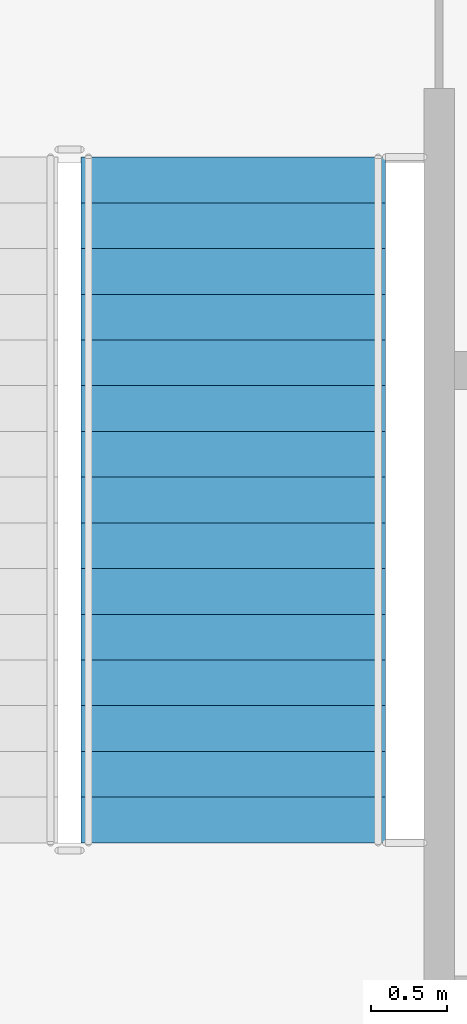
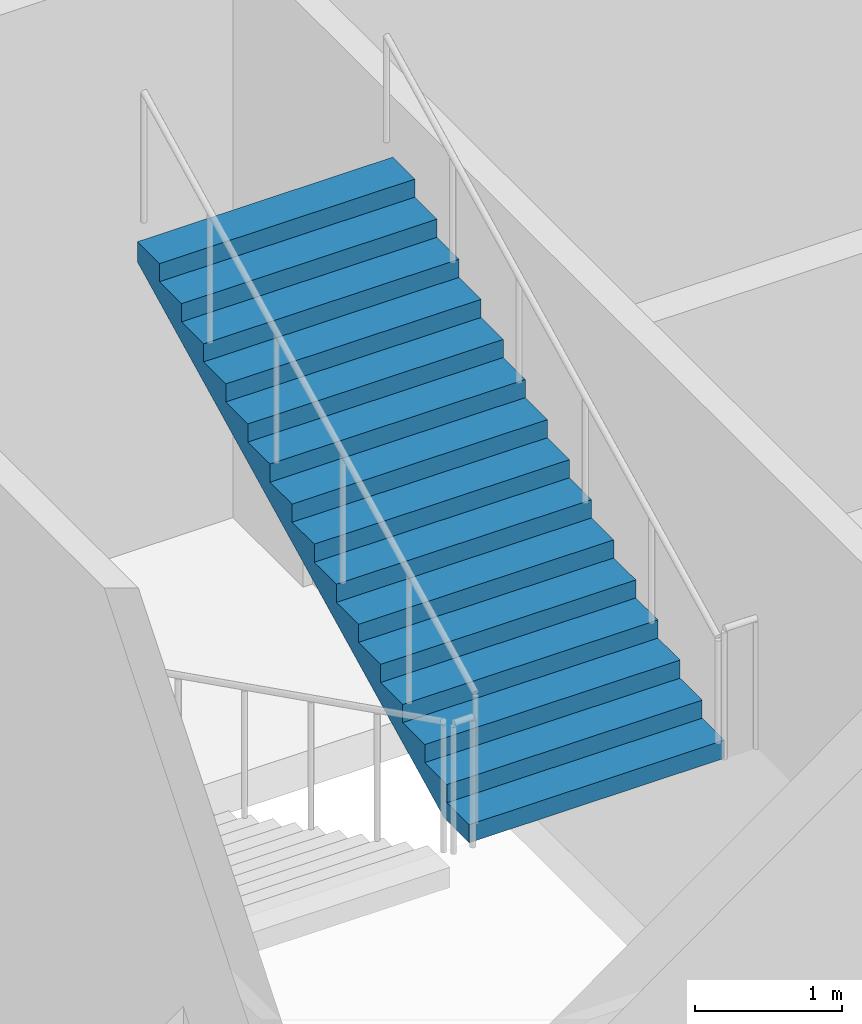
# One storey, part 54 of 91: 1 stair flight, 1 element without a shape of its own.
"""IFC4 building model written with IfcOpenShell, lengths in metres."""

from ifc_helpers import new_model, si_unit, direction, frame, origin, place, context, subcontext, project, spatial, faceted_brep, material, type_object, element, aggregate, save


model = new_model("IFC4")

# Units and contexts
model_context = context("Model", 3, precision=1e-05, world=origin(), true_north=direction((0.0, 1.0)))
body_context = subcontext(model_context, "Body", "Model", "MODEL_VIEW")
ifc_project = project(units=[si_unit("LENGTHUNIT", "METRE"), si_unit("AREAUNIT", "SQUARE_METRE"), si_unit("VOLUMEUNIT", "CUBIC_METRE"), si_unit("PLANEANGLEUNIT", "RADIAN"), si_unit("MASSUNIT", "GRAM", prefix="KILO")], contexts=[model_context])

# Site, building, storey
site_placement = place(None, origin())
site = spatial("IfcSite", under=ifc_project, at=site_placement, CompositionType="ELEMENT")
building_placement = place(site_placement, origin())
building = spatial("IfcBuilding", under=site, at=building_placement, Name="Kiln Court Media Centre", CompositionType="ELEMENT")
storey_placement = place(building_placement, frame((0.0, 0.0, 5.39990234375)))
storey = spatial("IfcBuildingStorey", under=building, at=storey_placement, Name="L01", CompositionType="ELEMENT", Elevation=5.39990234375)

# Stair, stair flight
ifc_material_1 = material(Name="Concrete C40/50", Category="concrete")
stair_type = type_object("IfcStairType", Name="Concrete C40/50 dog-leg stair 2000 wide, 150 riser", PredefinedType="HALF_TURN_STAIR", material=ifc_material_1)
stair_placement = place(storey_placement, origin())
stair = element("IfcStair", 1, at=stair_placement, inside=storey, type_object=stair_type, Name="ST-11 L01", PredefinedType="HALF_TURN_STAIR")
ifc_material_2 = material(Name="Concrete C40/50", Category="concrete")
stair_flight_type = type_object("IfcStairFlightType", Name="Concrete C40/50 stair flight 2000 wide, 150 riser, 300 going", PredefinedType="STRAIGHT", material=ifc_material_2)
stair_flight_placement = place(storey_placement, frame((62.14990234375, 59.89990234375, 2.400146484375), z_axis=(0.0, 0.0, 1.0), x_axis=(0.0, 1.0, 0.0)))
stair_flight = element("IfcStairFlight", 2, at=stair_flight_placement, type_object=stair_flight_type, Name="L01-ST-5010 flight 5021", NumberOfRisers=16, NumberOfTreads=15, PredefinedType="STRAIGHT", RiserHeight=0.15, TreadLength=0.3, context=body_context, shape_type="Brep", body=[
    faceted_brep([(0.335205078125, -1.0, 0.0), (4.5, -1.0, 2.08251953125), (4.5, -1.0, 2.25), (4.199951171875, -1.0, 2.25), (4.199951171875, -1.0, 2.10009765625), (3.89990234375, -1.0, 2.10009765625), (3.89990234375, -1.0, 1.949951171875), (3.60009765625, -1.0, 1.949951171875), (3.60009765625, -1.0, 1.800048828125), (3.300048828125, -1.0, 1.800048828125), (3.300048828125, -1.0, 1.64990234375), (3.0, -1.0, 1.64990234375), (3.0, -1.0, 1.5), (2.699951171875, -1.0, 1.5), (2.699951171875, -1.0, 1.35009765625), (2.39990234375, -1.0, 1.35009765625), (2.39990234375, -1.0, 1.199951171875), (2.10009765625, -1.0, 1.199951171875), (2.10009765625, -1.0, 1.050048828125), (1.800048828125, -1.0, 1.050048828125), (1.800048828125, -1.0, 0.89990234375), (1.5, -1.0, 0.89990234375), (1.5, -1.0, 0.75), (1.199951171875, -1.0, 0.75), (1.199951171875, -1.0, 0.60009765625), (0.89990234375, -1.0, 0.60009765625), (0.89990234375, -1.0, 0.449951171875), (0.60009765625, -1.0, 0.449951171875), (0.60009765625, -1.0, 0.300048828125), (0.300048828125, -1.0, 0.300048828125), (0.300048828125, -1.0, 0.14990234375), (0.0, -1.0, 0.14990234375), (0.0, -1.0, 0.0), (0.0, 1.0, 0.0), (0.0, 1.0, 0.14990234375), (0.300048828125, 1.0, 0.14990234375), (0.300048828125, 1.0, 0.300048828125), (0.60009765625, 1.0, 0.300048828125), (0.60009765625, 1.0, 0.449951171875), (0.89990234375, 1.0, 0.449951171875), (0.89990234375, 1.0, 0.60009765625), (1.199951171875, 1.0, 0.60009765625), (1.199951171875, 1.0, 0.75), (1.5, 1.0, 0.75), (1.5, 1.0, 0.89990234375), (1.800048828125, 1.0, 0.89990234375), (1.800048828125, 1.0, 1.050048828125), (2.10009765625, 1.0, 1.050048828125), (2.10009765625, 1.0, 1.199951171875), (2.39990234375, 1.0, 1.199951171875), (2.39990234375, 1.0, 1.35009765625), (2.699951171875, 1.0, 1.35009765625), (2.699951171875, 1.0, 1.5), (3.0, 1.0, 1.5), (3.0, 1.0, 1.64990234375), (3.300048828125, 1.0, 1.64990234375), (3.300048828125, 1.0, 1.800048828125), (3.60009765625, 1.0, 1.800048828125), (3.60009765625, 1.0, 1.949951171875), (3.89990234375, 1.0, 1.949951171875), (3.89990234375, 1.0, 2.10009765625), (4.199951171875, 1.0, 2.10009765625), (4.199951171875, 1.0, 2.25), (4.5, 1.0, 2.25), (4.5, 1.0, 2.08251953125), (0.335205078125, 1.0, 0.0), (4.5, 0.10009765625, 2.08251953125), (0.335205078125, 0.10009765625, 0.0), (4.5, 0.080078125, 2.08251953125), (0.335205078125, 0.080078125, 0.0), (4.5, 0.06005859375, 2.08251953125), (0.335205078125, 0.06005859375, 0.0), (4.5, 0.0400390625, 2.08251953125), (0.335205078125, 0.0400390625, 0.0), (4.5, 0.02001953125, 2.08251953125), (0.335205078125, 0.02001953125, 0.0), (4.5, 0.0, 2.08251953125), (0.335205078125, 0.0, 0.0), (4.5, -0.02001953125, 2.08251953125), (0.335205078125, -0.02001953125, 0.0), (4.5, -0.0400390625, 2.08251953125), (0.335205078125, -0.0400390625, 0.0), (4.5, -0.06005859375, 2.08251953125), (0.335205078125, -0.06005859375, 0.0), (4.5, -0.080078125, 2.08251953125), (0.335205078125, -0.080078125, 0.0), (4.5, -0.10009765625, 2.08251953125), (0.335205078125, -0.10009765625, 0.0), (4.5, 0.10009765625, 2.25), (4.5, 0.080078125, 2.25), (4.5, 0.06005859375, 2.25), (4.5, 0.0400390625, 2.25), (4.5, 0.02001953125, 2.25), (4.5, 0.0, 2.25), (4.5, -0.02001953125, 2.25), (4.5, -0.0400390625, 2.25), (4.5, -0.06005859375, 2.25), (4.5, -0.080078125, 2.25), (4.5, -0.10009765625, 2.25), (4.199951171875, 0.10009765625, 2.25), (4.199951171875, 0.080078125, 2.25), (4.199951171875, 0.06005859375, 2.25), (4.199951171875, 0.0400390625, 2.25), (4.199951171875, 0.02001953125, 2.25), (4.199951171875, 0.0, 2.25), (4.199951171875, -0.02001953125, 2.25), (4.199951171875, -0.0400390625, 2.25), (4.199951171875, -0.06005859375, 2.25), (4.199951171875, -0.080078125, 2.25), (4.199951171875, -0.10009765625, 2.25), (4.199951171875, 0.10009765625, 2.10009765625), (4.199951171875, 0.080078125, 2.10009765625), (4.199951171875, 0.06005859375, 2.10009765625), (4.199951171875, 0.0400390625, 2.10009765625), (4.199951171875, 0.02001953125, 2.10009765625), (4.199951171875, 0.0, 2.10009765625), (4.199951171875, -0.02001953125, 2.10009765625), (4.199951171875, -0.0400390625, 2.10009765625), (4.199951171875, -0.06005859375, 2.10009765625), (4.199951171875, -0.080078125, 2.10009765625), (4.199951171875, -0.10009765625, 2.10009765625), (3.89990234375, 0.10009765625, 2.10009765625), (3.89990234375, 0.080078125, 2.10009765625), (3.89990234375, 0.06005859375, 2.10009765625), (3.89990234375, 0.0400390625, 2.10009765625), (3.89990234375, 0.02001953125, 2.10009765625), (3.89990234375, 0.0, 2.10009765625), (3.89990234375, -0.02001953125, 2.10009765625), (3.89990234375, -0.0400390625, 2.10009765625), (3.89990234375, -0.06005859375, 2.10009765625), (3.89990234375, -0.080078125, 2.10009765625), (3.89990234375, -0.10009765625, 2.10009765625), (3.89990234375, 0.10009765625, 1.949951171875), (3.89990234375, 0.080078125, 1.949951171875), (3.89990234375, 0.06005859375, 1.949951171875), (3.89990234375, 0.0400390625, 1.949951171875), (3.89990234375, 0.02001953125, 1.949951171875), (3.89990234375, 0.0, 1.949951171875), (3.89990234375, -0.02001953125, 1.949951171875), (3.89990234375, -0.0400390625, 1.949951171875), (3.89990234375, -0.06005859375, 1.949951171875), (3.89990234375, -0.080078125, 1.949951171875), (3.89990234375, -0.10009765625, 1.949951171875), (3.60009765625, 0.10009765625, 1.949951171875), (3.60009765625, 0.080078125, 1.949951171875), (3.60009765625, 0.06005859375, 1.949951171875), (3.60009765625, 0.0400390625, 1.949951171875), (3.60009765625, 0.02001953125, 1.949951171875), (3.60009765625, 0.0, 1.949951171875), (3.60009765625, -0.02001953125, 1.949951171875), (3.60009765625, -0.0400390625, 1.949951171875), (3.60009765625, -0.06005859375, 1.949951171875), (3.60009765625, -0.080078125, 1.949951171875), (3.60009765625, -0.10009765625, 1.949951171875), (3.60009765625, 0.10009765625, 1.800048828125), (3.60009765625, 0.080078125, 1.800048828125), (3.60009765625, 0.06005859375, 1.800048828125), (3.60009765625, 0.0400390625, 1.800048828125), (3.60009765625, 0.02001953125, 1.800048828125), (3.60009765625, 0.0, 1.800048828125), (3.60009765625, -0.02001953125, 1.800048828125), (3.60009765625, -0.0400390625, 1.800048828125), (3.60009765625, -0.06005859375, 1.800048828125), (3.60009765625, -0.080078125, 1.800048828125), (3.60009765625, -0.10009765625, 1.800048828125), (3.300048828125, 0.10009765625, 1.800048828125), (3.300048828125, 0.080078125, 1.800048828125), (3.300048828125, 0.06005859375, 1.800048828125), (3.300048828125, 0.0400390625, 1.800048828125), (3.300048828125, 0.02001953125, 1.800048828125), (3.300048828125, 0.0, 1.800048828125), (3.300048828125, -0.02001953125, 1.800048828125), (3.300048828125, -0.0400390625, 1.800048828125), (3.300048828125, -0.06005859375, 1.800048828125), (3.300048828125, -0.080078125, 1.800048828125), (3.300048828125, -0.10009765625, 1.800048828125), (3.300048828125, 0.10009765625, 1.64990234375), (3.300048828125, 0.080078125, 1.64990234375), (3.300048828125, 0.06005859375, 1.64990234375), (3.300048828125, 0.0400390625, 1.64990234375), (3.300048828125, 0.02001953125, 1.64990234375), (3.300048828125, 0.0, 1.64990234375), (3.300048828125, -0.02001953125, 1.64990234375), (3.300048828125, -0.0400390625, 1.64990234375), (3.300048828125, -0.06005859375, 1.64990234375), (3.300048828125, -0.080078125, 1.64990234375), (3.300048828125, -0.10009765625, 1.64990234375), (3.0, 0.10009765625, 1.64990234375), (3.0, 0.080078125, 1.64990234375), (3.0, 0.06005859375, 1.64990234375), (3.0, 0.0400390625, 1.64990234375), (3.0, 0.02001953125, 1.64990234375), (3.0, 0.0, 1.64990234375), (3.0, -0.02001953125, 1.64990234375), (3.0, -0.0400390625, 1.64990234375), (3.0, -0.06005859375, 1.64990234375), (3.0, -0.080078125, 1.64990234375), (3.0, -0.10009765625, 1.64990234375), (3.0, 0.10009765625, 1.5), (3.0, 0.080078125, 1.5), (3.0, 0.06005859375, 1.5), (3.0, 0.0400390625, 1.5), (3.0, 0.02001953125, 1.5), (3.0, 0.0, 1.5), (3.0, -0.02001953125, 1.5), (3.0, -0.0400390625, 1.5), (3.0, -0.06005859375, 1.5), (3.0, -0.080078125, 1.5), (3.0, -0.10009765625, 1.5), (2.699951171875, 0.10009765625, 1.5), (2.699951171875, 0.080078125, 1.5), (2.699951171875, 0.06005859375, 1.5), (2.699951171875, 0.0400390625, 1.5), (2.699951171875, 0.02001953125, 1.5), (2.699951171875, 0.0, 1.5), (2.699951171875, -0.02001953125, 1.5), (2.699951171875, -0.0400390625, 1.5), (2.699951171875, -0.06005859375, 1.5), (2.699951171875, -0.080078125, 1.5), (2.699951171875, -0.10009765625, 1.5), (2.699951171875, 0.10009765625, 1.35009765625), (2.699951171875, 0.080078125, 1.35009765625), (2.699951171875, 0.06005859375, 1.35009765625), (2.699951171875, 0.0400390625, 1.35009765625), (2.699951171875, 0.02001953125, 1.35009765625), (2.699951171875, 0.0, 1.35009765625), (2.699951171875, -0.02001953125, 1.35009765625), (2.699951171875, -0.0400390625, 1.35009765625), (2.699951171875, -0.06005859375, 1.35009765625), (2.699951171875, -0.080078125, 1.35009765625), (2.699951171875, -0.10009765625, 1.35009765625), (2.39990234375, 0.10009765625, 1.35009765625), (2.39990234375, 0.080078125, 1.35009765625), (2.39990234375, 0.06005859375, 1.35009765625), (2.39990234375, 0.0400390625, 1.35009765625), (2.39990234375, 0.02001953125, 1.35009765625), (2.39990234375, 0.0, 1.35009765625), (2.39990234375, -0.02001953125, 1.35009765625), (2.39990234375, -0.0400390625, 1.35009765625), (2.39990234375, -0.06005859375, 1.35009765625), (2.39990234375, -0.080078125, 1.35009765625), (2.39990234375, -0.10009765625, 1.35009765625), (2.39990234375, 0.10009765625, 1.199951171875), (2.39990234375, 0.080078125, 1.199951171875), (2.39990234375, 0.06005859375, 1.199951171875), (2.39990234375, 0.0400390625, 1.199951171875), (2.39990234375, 0.02001953125, 1.199951171875), (2.39990234375, 0.0, 1.199951171875), (2.39990234375, -0.02001953125, 1.199951171875), (2.39990234375, -0.0400390625, 1.199951171875), (2.39990234375, -0.06005859375, 1.199951171875), (2.39990234375, -0.080078125, 1.199951171875), (2.39990234375, -0.10009765625, 1.199951171875), (2.10009765625, 0.10009765625, 1.199951171875), (2.10009765625, 0.080078125, 1.199951171875), (2.10009765625, 0.06005859375, 1.199951171875), (2.10009765625, 0.0400390625, 1.199951171875), (2.10009765625, 0.02001953125, 1.199951171875), (2.10009765625, 0.0, 1.199951171875), (2.10009765625, -0.02001953125, 1.199951171875), (2.10009765625, -0.0400390625, 1.199951171875), (2.10009765625, -0.06005859375, 1.199951171875), (2.10009765625, -0.080078125, 1.199951171875), (2.10009765625, -0.10009765625, 1.199951171875), (2.10009765625, 0.10009765625, 1.050048828125), (2.10009765625, 0.080078125, 1.050048828125), (2.10009765625, 0.06005859375, 1.050048828125), (2.10009765625, 0.0400390625, 1.050048828125), (2.10009765625, 0.02001953125, 1.050048828125), (2.10009765625, 0.0, 1.050048828125), (2.10009765625, -0.02001953125, 1.050048828125), (2.10009765625, -0.0400390625, 1.050048828125), (2.10009765625, -0.06005859375, 1.050048828125), (2.10009765625, -0.080078125, 1.050048828125), (2.10009765625, -0.10009765625, 1.050048828125), (1.800048828125, 0.10009765625, 1.050048828125), (1.800048828125, 0.080078125, 1.050048828125), (1.800048828125, 0.06005859375, 1.050048828125), (1.800048828125, 0.0400390625, 1.050048828125), (1.800048828125, 0.02001953125, 1.050048828125), (1.800048828125, 0.0, 1.050048828125), (1.800048828125, -0.02001953125, 1.050048828125), (1.800048828125, -0.0400390625, 1.050048828125), (1.800048828125, -0.06005859375, 1.050048828125), (1.800048828125, -0.080078125, 1.050048828125), (1.800048828125, -0.10009765625, 1.050048828125), (1.800048828125, 0.10009765625, 0.89990234375), (1.800048828125, 0.080078125, 0.89990234375), (1.800048828125, 0.06005859375, 0.89990234375), (1.800048828125, 0.0400390625, 0.89990234375), (1.800048828125, 0.02001953125, 0.89990234375), (1.800048828125, 0.0, 0.89990234375), (1.800048828125, -0.02001953125, 0.89990234375), (1.800048828125, -0.0400390625, 0.89990234375), (1.800048828125, -0.06005859375, 0.89990234375), (1.800048828125, -0.080078125, 0.89990234375), (1.800048828125, -0.10009765625, 0.89990234375), (1.5, 0.10009765625, 0.89990234375), (1.5, 0.080078125, 0.89990234375), (1.5, 0.06005859375, 0.89990234375), (1.5, 0.0400390625, 0.89990234375), (1.5, 0.02001953125, 0.89990234375), (1.5, 0.0, 0.89990234375), (1.5, -0.02001953125, 0.89990234375), (1.5, -0.0400390625, 0.89990234375), (1.5, -0.06005859375, 0.89990234375), (1.5, -0.080078125, 0.89990234375), (1.5, -0.10009765625, 0.89990234375), (1.5, 0.10009765625, 0.75), (1.5, 0.080078125, 0.75), (1.5, 0.06005859375, 0.75), (1.5, 0.0400390625, 0.75), (1.5, 0.02001953125, 0.75), (1.5, 0.0, 0.75), (1.5, -0.02001953125, 0.75), (1.5, -0.0400390625, 0.75), (1.5, -0.06005859375, 0.75), (1.5, -0.080078125, 0.75), (1.5, -0.10009765625, 0.75), (1.199951171875, 0.10009765625, 0.75), (1.199951171875, 0.080078125, 0.75), (1.199951171875, 0.06005859375, 0.75), (1.199951171875, 0.0400390625, 0.75), (1.199951171875, 0.02001953125, 0.75), (1.199951171875, 0.0, 0.75), (1.199951171875, -0.02001953125, 0.75), (1.199951171875, -0.0400390625, 0.75), (1.199951171875, -0.06005859375, 0.75), (1.199951171875, -0.080078125, 0.75), (1.199951171875, -0.10009765625, 0.75), (1.199951171875, 0.10009765625, 0.60009765625), (1.199951171875, 0.080078125, 0.60009765625), (1.199951171875, 0.06005859375, 0.60009765625), (1.199951171875, 0.0400390625, 0.60009765625), (1.199951171875, 0.02001953125, 0.60009765625), (1.199951171875, 0.0, 0.60009765625), (1.199951171875, -0.02001953125, 0.60009765625), (1.199951171875, -0.0400390625, 0.60009765625), (1.199951171875, -0.06005859375, 0.60009765625), (1.199951171875, -0.080078125, 0.60009765625), (1.199951171875, -0.10009765625, 0.60009765625), (0.89990234375, 0.10009765625, 0.60009765625), (0.89990234375, 0.080078125, 0.60009765625), (0.89990234375, 0.06005859375, 0.60009765625), (0.89990234375, 0.0400390625, 0.60009765625), (0.89990234375, 0.02001953125, 0.60009765625), (0.89990234375, 0.0, 0.60009765625), (0.89990234375, -0.02001953125, 0.60009765625), (0.89990234375, -0.0400390625, 0.60009765625), (0.89990234375, -0.06005859375, 0.60009765625), (0.89990234375, -0.080078125, 0.60009765625), (0.89990234375, -0.10009765625, 0.60009765625), (0.89990234375, 0.10009765625, 0.449951171875), (0.89990234375, 0.080078125, 0.449951171875), (0.89990234375, 0.06005859375, 0.449951171875), (0.89990234375, 0.0400390625, 0.449951171875), (0.89990234375, 0.02001953125, 0.449951171875), (0.89990234375, 0.0, 0.449951171875), (0.89990234375, -0.02001953125, 0.449951171875), (0.89990234375, -0.0400390625, 0.449951171875), (0.89990234375, -0.06005859375, 0.449951171875), (0.89990234375, -0.080078125, 0.449951171875), (0.89990234375, -0.10009765625, 0.449951171875), (0.60009765625, 0.10009765625, 0.449951171875), (0.60009765625, 0.080078125, 0.449951171875), (0.60009765625, 0.06005859375, 0.449951171875), (0.60009765625, 0.0400390625, 0.449951171875), (0.60009765625, 0.02001953125, 0.449951171875), (0.60009765625, 0.0, 0.449951171875), (0.60009765625, -0.02001953125, 0.449951171875), (0.60009765625, -0.0400390625, 0.449951171875), (0.60009765625, -0.06005859375, 0.449951171875), (0.60009765625, -0.080078125, 0.449951171875), (0.60009765625, -0.10009765625, 0.449951171875), (0.60009765625, 0.10009765625, 0.300048828125), (0.60009765625, 0.080078125, 0.300048828125), (0.60009765625, 0.06005859375, 0.300048828125), (0.60009765625, 0.0400390625, 0.300048828125), (0.60009765625, 0.02001953125, 0.300048828125), (0.60009765625, 0.0, 0.300048828125), (0.60009765625, -0.02001953125, 0.300048828125), (0.60009765625, -0.0400390625, 0.300048828125), (0.60009765625, -0.06005859375, 0.300048828125), (0.60009765625, -0.080078125, 0.300048828125), (0.60009765625, -0.10009765625, 0.300048828125), (0.300048828125, 0.10009765625, 0.300048828125), (0.300048828125, 0.080078125, 0.300048828125), (0.300048828125, 0.06005859375, 0.300048828125), (0.300048828125, 0.0400390625, 0.300048828125), (0.300048828125, 0.02001953125, 0.300048828125), (0.300048828125, 0.0, 0.300048828125), (0.300048828125, -0.02001953125, 0.300048828125), (0.300048828125, -0.0400390625, 0.300048828125), (0.300048828125, -0.06005859375, 0.300048828125), (0.300048828125, -0.080078125, 0.300048828125), (0.300048828125, -0.10009765625, 0.300048828125), (0.300048828125, 0.10009765625, 0.14990234375), (0.300048828125, 0.080078125, 0.14990234375), (0.300048828125, 0.06005859375, 0.14990234375), (0.300048828125, 0.0400390625, 0.14990234375), (0.300048828125, 0.02001953125, 0.14990234375), (0.300048828125, 0.0, 0.14990234375), (0.300048828125, -0.02001953125, 0.14990234375), (0.300048828125, -0.0400390625, 0.14990234375), (0.300048828125, -0.06005859375, 0.14990234375), (0.300048828125, -0.080078125, 0.14990234375), (0.300048828125, -0.10009765625, 0.14990234375), (0.0, 0.10009765625, 0.14990234375), (0.0, 0.080078125, 0.14990234375), (0.0, 0.06005859375, 0.14990234375), (0.0, 0.0400390625, 0.14990234375), (0.0, 0.02001953125, 0.14990234375), (0.0, 0.0, 0.14990234375), (0.0, -0.02001953125, 0.14990234375), (0.0, -0.0400390625, 0.14990234375), (0.0, -0.06005859375, 0.14990234375), (0.0, -0.080078125, 0.14990234375), (0.0, -0.10009765625, 0.14990234375), (0.0, 0.10009765625, 0.0), (0.0, 0.080078125, 0.0), (0.0, 0.06005859375, 0.0), (0.0, 0.0400390625, 0.0), (0.0, 0.02001953125, 0.0), (0.0, 0.0, 0.0), (0.0, -0.02001953125, 0.0), (0.0, -0.0400390625, 0.0), (0.0, -0.06005859375, 0.0), (0.0, -0.080078125, 0.0), (0.0, -0.10009765625, 0.0)], [[[0, 1, 2, 3, 4, 5, 6, 7, 8, 9, 10, 11, 12, 13, 14, 15, 16, 17, 18, 19, 20, 21, 22, 23, 24, 25, 26, 27, 28, 29, 30, 31, 32]], [[33, 34, 35, 36, 37, 38, 39, 40, 41, 42, 43, 44, 45, 46, 47, 48, 49, 50, 51, 52, 53, 54, 55, 56, 57, 58, 59, 60, 61, 62, 63, 64, 65]], [[65, 64, 66, 67]], [[67, 66, 68, 69]], [[69, 68, 70, 71]], [[71, 70, 72, 73]], [[73, 72, 74, 75]], [[75, 74, 76, 77]], [[77, 76, 78, 79]], [[79, 78, 80, 81]], [[81, 80, 82, 83]], [[83, 82, 84, 85]], [[85, 84, 86, 87]], [[87, 86, 1, 0]], [[64, 63, 88, 66]], [[66, 88, 89, 68]], [[68, 89, 90, 70]], [[70, 90, 91, 72]], [[72, 91, 92, 74]], [[74, 92, 93, 76]], [[76, 93, 94, 78]], [[78, 94, 95, 80]], [[80, 95, 96, 82]], [[82, 96, 97, 84]], [[84, 97, 98, 86]], [[86, 98, 2, 1]], [[63, 62, 99, 88]], [[88, 99, 100, 89]], [[89, 100, 101, 90]], [[90, 101, 102, 91]], [[91, 102, 103, 92]], [[92, 103, 104, 93]], [[93, 104, 105, 94]], [[94, 105, 106, 95]], [[95, 106, 107, 96]], [[96, 107, 108, 97]], [[97, 108, 109, 98]], [[98, 109, 3, 2]], [[62, 61, 110, 99]], [[99, 110, 111, 100]], [[100, 111, 112, 101]], [[101, 112, 113, 102]], [[102, 113, 114, 103]], [[103, 114, 115, 104]], [[104, 115, 116, 105]], [[105, 116, 117, 106]], [[106, 117, 118, 107]], [[107, 118, 119, 108]], [[108, 119, 120, 109]], [[109, 120, 4, 3]], [[61, 60, 121, 110]], [[110, 121, 122, 111]], [[111, 122, 123, 112]], [[112, 123, 124, 113]], [[113, 124, 125, 114]], [[114, 125, 126, 115]], [[115, 126, 127, 116]], [[116, 127, 128, 117]], [[117, 128, 129, 118]], [[118, 129, 130, 119]], [[119, 130, 131, 120]], [[120, 131, 5, 4]], [[60, 59, 132, 121]], [[121, 132, 133, 122]], [[122, 133, 134, 123]], [[123, 134, 135, 124]], [[124, 135, 136, 125]], [[125, 136, 137, 126]], [[126, 137, 138, 127]], [[127, 138, 139, 128]], [[128, 139, 140, 129]], [[129, 140, 141, 130]], [[130, 141, 142, 131]], [[131, 142, 6, 5]], [[59, 58, 143, 132]], [[132, 143, 144, 133]], [[133, 144, 145, 134]], [[134, 145, 146, 135]], [[135, 146, 147, 136]], [[136, 147, 148, 137]], [[137, 148, 149, 138]], [[138, 149, 150, 139]], [[139, 150, 151, 140]], [[140, 151, 152, 141]], [[141, 152, 153, 142]], [[142, 153, 7, 6]], [[58, 57, 154, 143]], [[143, 154, 155, 144]], [[144, 155, 156, 145]], [[145, 156, 157, 146]], [[146, 157, 158, 147]], [[147, 158, 159, 148]], [[148, 159, 160, 149]], [[149, 160, 161, 150]], [[150, 161, 162, 151]], [[151, 162, 163, 152]], [[152, 163, 164, 153]], [[153, 164, 8, 7]], [[57, 56, 165, 154]], [[154, 165, 166, 155]], [[155, 166, 167, 156]], [[156, 167, 168, 157]], [[157, 168, 169, 158]], [[158, 169, 170, 159]], [[159, 170, 171, 160]], [[160, 171, 172, 161]], [[161, 172, 173, 162]], [[162, 173, 174, 163]], [[163, 174, 175, 164]], [[164, 175, 9, 8]], [[56, 55, 176, 165]], [[165, 176, 177, 166]], [[166, 177, 178, 167]], [[167, 178, 179, 168]], [[168, 179, 180, 169]], [[169, 180, 181, 170]], [[170, 181, 182, 171]], [[171, 182, 183, 172]], [[172, 183, 184, 173]], [[173, 184, 185, 174]], [[174, 185, 186, 175]], [[175, 186, 10, 9]], [[55, 54, 187, 176]], [[176, 187, 188, 177]], [[177, 188, 189, 178]], [[178, 189, 190, 179]], [[179, 190, 191, 180]], [[180, 191, 192, 181]], [[181, 192, 193, 182]], [[182, 193, 194, 183]], [[183, 194, 195, 184]], [[184, 195, 196, 185]], [[185, 196, 197, 186]], [[186, 197, 11, 10]], [[54, 53, 198, 187]], [[187, 198, 199, 188]], [[188, 199, 200, 189]], [[189, 200, 201, 190]], [[190, 201, 202, 191]], [[191, 202, 203, 192]], [[192, 203, 204, 193]], [[193, 204, 205, 194]], [[194, 205, 206, 195]], [[195, 206, 207, 196]], [[196, 207, 208, 197]], [[197, 208, 12, 11]], [[53, 52, 209, 198]], [[198, 209, 210, 199]], [[199, 210, 211, 200]], [[200, 211, 212, 201]], [[201, 212, 213, 202]], [[202, 213, 214, 203]], [[203, 214, 215, 204]], [[204, 215, 216, 205]], [[205, 216, 217, 206]], [[206, 217, 218, 207]], [[207, 218, 219, 208]], [[208, 219, 13, 12]], [[52, 51, 220, 209]], [[209, 220, 221, 210]], [[210, 221, 222, 211]], [[211, 222, 223, 212]], [[212, 223, 224, 213]], [[213, 224, 225, 214]], [[214, 225, 226, 215]], [[215, 226, 227, 216]], [[216, 227, 228, 217]], [[217, 228, 229, 218]], [[218, 229, 230, 219]], [[219, 230, 14, 13]], [[51, 50, 231, 220]], [[220, 231, 232, 221]], [[221, 232, 233, 222]], [[222, 233, 234, 223]], [[223, 234, 235, 224]], [[224, 235, 236, 225]], [[225, 236, 237, 226]], [[226, 237, 238, 227]], [[227, 238, 239, 228]], [[228, 239, 240, 229]], [[229, 240, 241, 230]], [[230, 241, 15, 14]], [[50, 49, 242, 231]], [[231, 242, 243, 232]], [[232, 243, 244, 233]], [[233, 244, 245, 234]], [[234, 245, 246, 235]], [[235, 246, 247, 236]], [[236, 247, 248, 237]], [[237, 248, 249, 238]], [[238, 249, 250, 239]], [[239, 250, 251, 240]], [[240, 251, 252, 241]], [[241, 252, 16, 15]], [[49, 48, 253, 242]], [[242, 253, 254, 243]], [[243, 254, 255, 244]], [[244, 255, 256, 245]], [[245, 256, 257, 246]], [[246, 257, 258, 247]], [[247, 258, 259, 248]], [[248, 259, 260, 249]], [[249, 260, 261, 250]], [[250, 261, 262, 251]], [[251, 262, 263, 252]], [[252, 263, 17, 16]], [[48, 47, 264, 253]], [[253, 264, 265, 254]], [[254, 265, 266, 255]], [[255, 266, 267, 256]], [[256, 267, 268, 257]], [[257, 268, 269, 258]], [[258, 269, 270, 259]], [[259, 270, 271, 260]], [[260, 271, 272, 261]], [[261, 272, 273, 262]], [[262, 273, 274, 263]], [[263, 274, 18, 17]], [[47, 46, 275, 264]], [[264, 275, 276, 265]], [[265, 276, 277, 266]], [[266, 277, 278, 267]], [[267, 278, 279, 268]], [[268, 279, 280, 269]], [[269, 280, 281, 270]], [[270, 281, 282, 271]], [[271, 282, 283, 272]], [[272, 283, 284, 273]], [[273, 284, 285, 274]], [[274, 285, 19, 18]], [[46, 45, 286, 275]], [[275, 286, 287, 276]], [[276, 287, 288, 277]], [[277, 288, 289, 278]], [[278, 289, 290, 279]], [[279, 290, 291, 280]], [[280, 291, 292, 281]], [[281, 292, 293, 282]], [[282, 293, 294, 283]], [[283, 294, 295, 284]], [[284, 295, 296, 285]], [[285, 296, 20, 19]], [[45, 44, 297, 286]], [[286, 297, 298, 287]], [[287, 298, 299, 288]], [[288, 299, 300, 289]], [[289, 300, 301, 290]], [[290, 301, 302, 291]], [[291, 302, 303, 292]], [[292, 303, 304, 293]], [[293, 304, 305, 294]], [[294, 305, 306, 295]], [[295, 306, 307, 296]], [[296, 307, 21, 20]], [[44, 43, 308, 297]], [[297, 308, 309, 298]], [[298, 309, 310, 299]], [[299, 310, 311, 300]], [[300, 311, 312, 301]], [[301, 312, 313, 302]], [[302, 313, 314, 303]], [[303, 314, 315, 304]], [[304, 315, 316, 305]], [[305, 316, 317, 306]], [[306, 317, 318, 307]], [[307, 318, 22, 21]], [[43, 42, 319, 308]], [[308, 319, 320, 309]], [[309, 320, 321, 310]], [[310, 321, 322, 311]], [[311, 322, 323, 312]], [[312, 323, 324, 313]], [[313, 324, 325, 314]], [[314, 325, 326, 315]], [[315, 326, 327, 316]], [[316, 327, 328, 317]], [[317, 328, 329, 318]], [[318, 329, 23, 22]], [[42, 41, 330, 319]], [[319, 330, 331, 320]], [[320, 331, 332, 321]], [[321, 332, 333, 322]], [[322, 333, 334, 323]], [[323, 334, 335, 324]], [[324, 335, 336, 325]], [[325, 336, 337, 326]], [[326, 337, 338, 327]], [[327, 338, 339, 328]], [[328, 339, 340, 329]], [[329, 340, 24, 23]], [[41, 40, 341, 330]], [[330, 341, 342, 331]], [[331, 342, 343, 332]], [[332, 343, 344, 333]], [[333, 344, 345, 334]], [[334, 345, 346, 335]], [[335, 346, 347, 336]], [[336, 347, 348, 337]], [[337, 348, 349, 338]], [[338, 349, 350, 339]], [[339, 350, 351, 340]], [[340, 351, 25, 24]], [[40, 39, 352, 341]], [[341, 352, 353, 342]], [[342, 353, 354, 343]], [[343, 354, 355, 344]], [[344, 355, 356, 345]], [[345, 356, 357, 346]], [[346, 357, 358, 347]], [[347, 358, 359, 348]], [[348, 359, 360, 349]], [[349, 360, 361, 350]], [[350, 361, 362, 351]], [[351, 362, 26, 25]], [[39, 38, 363, 352]], [[352, 363, 364, 353]], [[353, 364, 365, 354]], [[354, 365, 366, 355]], [[355, 366, 367, 356]], [[356, 367, 368, 357]], [[357, 368, 369, 358]], [[358, 369, 370, 359]], [[359, 370, 371, 360]], [[360, 371, 372, 361]], [[361, 372, 373, 362]], [[362, 373, 27, 26]], [[38, 37, 374, 363]], [[363, 374, 375, 364]], [[364, 375, 376, 365]], [[365, 376, 377, 366]], [[366, 377, 378, 367]], [[367, 378, 379, 368]], [[368, 379, 380, 369]], [[369, 380, 381, 370]], [[370, 381, 382, 371]], [[371, 382, 383, 372]], [[372, 383, 384, 373]], [[373, 384, 28, 27]], [[37, 36, 385, 374]], [[374, 385, 386, 375]], [[375, 386, 387, 376]], [[376, 387, 388, 377]], [[377, 388, 389, 378]], [[378, 389, 390, 379]], [[379, 390, 391, 380]], [[380, 391, 392, 381]], [[381, 392, 393, 382]], [[382, 393, 394, 383]], [[383, 394, 395, 384]], [[384, 395, 29, 28]], [[36, 35, 396, 385]], [[385, 396, 397, 386]], [[386, 397, 398, 387]], [[387, 398, 399, 388]], [[388, 399, 400, 389]], [[389, 400, 401, 390]], [[390, 401, 402, 391]], [[391, 402, 403, 392]], [[392, 403, 404, 393]], [[393, 404, 405, 394]], [[394, 405, 406, 395]], [[395, 406, 30, 29]], [[35, 34, 407, 396]], [[396, 407, 408, 397]], [[397, 408, 409, 398]], [[398, 409, 410, 399]], [[399, 410, 411, 400]], [[400, 411, 412, 401]], [[401, 412, 413, 402]], [[402, 413, 414, 403]], [[403, 414, 415, 404]], [[404, 415, 416, 405]], [[405, 416, 417, 406]], [[406, 417, 31, 30]], [[34, 33, 418, 407]], [[407, 418, 419, 408]], [[408, 419, 420, 409]], [[409, 420, 421, 410]], [[410, 421, 422, 411]], [[411, 422, 423, 412]], [[412, 423, 424, 413]], [[413, 424, 425, 414]], [[414, 425, 426, 415]], [[415, 426, 427, 416]], [[416, 427, 428, 417]], [[417, 428, 32, 31]], [[33, 65, 67, 418]], [[418, 67, 69, 419]], [[419, 69, 71, 420]], [[420, 71, 73, 421]], [[421, 73, 75, 422]], [[422, 75, 77, 423]], [[423, 77, 79, 424]], [[424, 79, 81, 425]], [[425, 81, 83, 426]], [[426, 83, 85, 427]], [[427, 85, 87, 428]], [[428, 87, 0, 32]]]),
])
aggregate(stair, [stair_flight])

save(model, "model.ifc")
